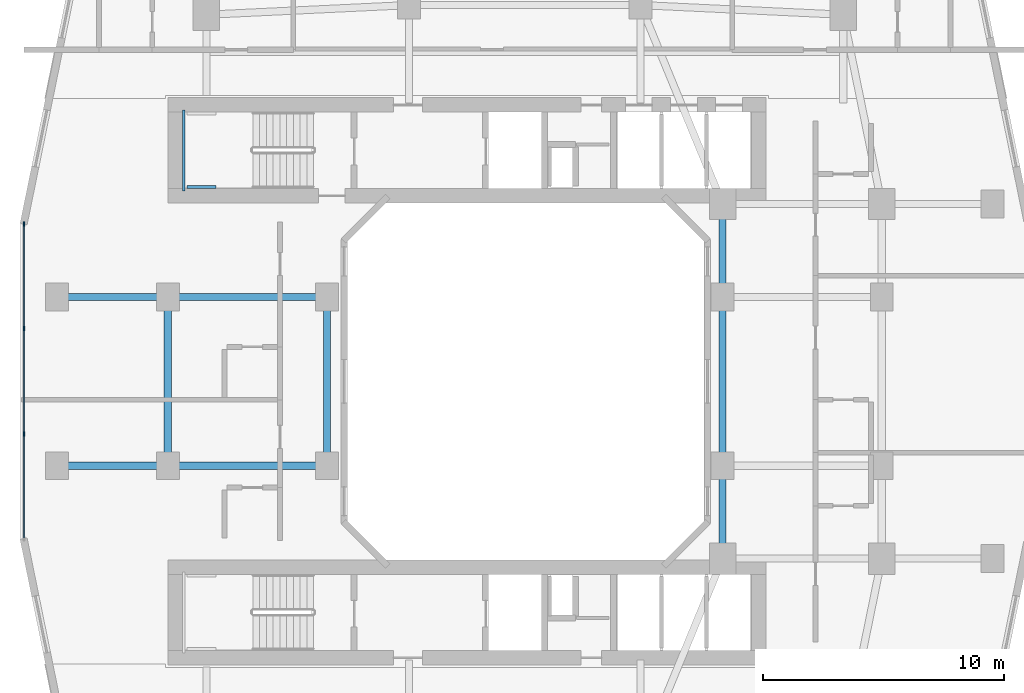
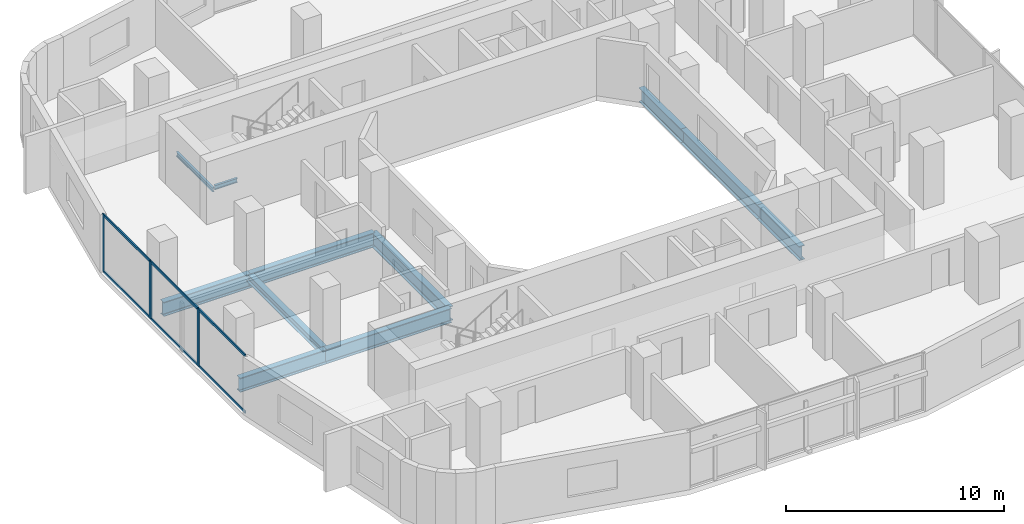
# One storey, part 3 of 26: 11 beams, 9 members, 1 element without a shape of its own.
"""IFC4 building model written with IfcOpenShell, lengths in metres."""

from ifc_helpers import new_model, si_unit, derived_unit, direction, frame, origin, origin_2d, place, context, subcontext, project, spatial, rectangle, i_section, extrude, material, layer, layer_set, material_profile, profile_set, type_object, element, aggregate, save


model = new_model("IFC4")

# Units and contexts
model_context = context("Model", 3, precision=1e-05, world=origin(), true_north=direction((0.0, 1.0)))
body_context = subcontext(model_context, "Body", "Model", "MODEL_VIEW")
ifc_project = project(units=[si_unit("LENGTHUNIT", "METRE"), si_unit("AREAUNIT", "SQUARE_METRE"), si_unit("VOLUMEUNIT", "CUBIC_METRE"), si_unit("PLANEANGLEUNIT", "RADIAN"), si_unit("MASSUNIT", "GRAM", prefix="KILO"), derived_unit("THERMALTRANSMITTANCEUNIT", [(si_unit("POWERUNIT", "WATT"), 1), (si_unit("LENGTHUNIT", "METRE"), -2), (si_unit("THERMODYNAMICTEMPERATUREUNIT", "KELVIN"), -1)])], contexts=[model_context])

# Site, building, storey
site_placement = place(None, origin())
site = spatial("IfcSite", under=ifc_project, at=site_placement, CompositionType="ELEMENT")
building_placement = place(site_placement, origin())
building = spatial("IfcBuilding", under=site, at=building_placement, Name="Kivonza Crest Hotel", CompositionType="ELEMENT")
storey_placement = place(building_placement, frame((0.0, 0.0, 55.5)))
storey = spatial("IfcBuildingStorey", under=building, at=storey_placement, Name="L14", CompositionType="ELEMENT", Elevation=55.5)

# Beams
ifc_material_1 = material(Name="Steel S355", Category="steel")
ifc_material_profile_1 = material_profile(ifc_material_1, i_section(OverallWidth=0.300048828125, OverallDepth=0.449951171875, WebThickness=0.013916015625, FlangeThickness=0.02587890625, FilletRadius=0.027099609375, at=origin_2d()), Name="HEB 450")
ifc_profile_set_1 = profile_set([ifc_material_profile_1], Name="Steel S355")
beam_type_1 = type_object("IfcBeamType", Name="BM-HEB450", PredefinedType="SPANDREL", material=ifc_profile_set_1)
beam_1_placement = place(storey_placement, frame((6.199951171875, 28.5, -0.5048828125), z_axis=(0.0, -1.0, 0.0), x_axis=(1.0, 0.0, 0.0)))
element("IfcBeam", 1, at=beam_1_placement, inside=storey, type_object=beam_type_1, Name="Tower T1 L14 perimeter spandrel W2-W1", PredefinedType="SPANDREL", context=body_context, shape_type="SweptSolid", body=[
    extrude(i_section(OverallWidth=0.300048828125, OverallDepth=0.449951171875, WebThickness=0.013916015625, FlangeThickness=0.02587890625, FilletRadius=0.027099609375, at=origin_2d()), origin(), (0.0, 0.0, 1.0), 7.0),
])
ifc_material_profile_2 = material_profile(ifc_material_1, i_section(OverallWidth=0.300048828125, OverallDepth=0.800048828125, WebThickness=0.017578125, FlangeThickness=0.032958984375, FilletRadius=0.030029296875, at=origin_2d()), Name="HEB 800")
ifc_profile_set_2 = profile_set([ifc_material_profile_2], Name="Steel S355")
beam_type_2 = type_object("IfcBeamType", Name="BM-HEB800", PredefinedType="BEAM", material=ifc_profile_set_2)
for number, where, z_axis, x_axis, name in (
    (2, (6.199951171875, 21.5, -0.679931640625), (1.0, 0.0, 0.0), (0.0, 1.0, 0.0), "Tower T1 L14 primary girder W1-WL1"),
    (3, (6.199951171875, 28.5, -0.679931640625), (1.0, 0.0, 0.0), (0.0, 1.0, 0.0), "Tower T1 L14 primary girder W2-WL2"),
):
    element("IfcBeam", number, at=place(storey_placement, frame(where, z_axis=z_axis, x_axis=x_axis)), inside=storey, type_object=beam_type_2, Name=name, PredefinedType="BEAM", context=body_context, shape_type="SweptSolid", body=[
        extrude(i_section(OverallWidth=0.300048828125, OverallDepth=0.800048828125, WebThickness=0.017578125, FlangeThickness=0.032958984375, FilletRadius=0.030029296875, at=origin_2d()), origin(), (0.0, 0.0, 1.0), 6.60009765625),
    ])
for number, where, z_axis, x_axis, name in (
    (4, (12.800048828125, 21.5, -0.679931640625), (0.0, 1.0, 0.0), (-1.0, 0.0, 0.0), "Tower T1 L14 primary girder WL1-WL2"),
    (5, (29.199951171875, 21.5, -0.679931640625), (0.0, 1.0, 0.0), (-1.0, 0.0, 0.0), "Tower T1 L14 primary girder WR1-WR2"),
):
    element("IfcBeam", number, at=place(storey_placement, frame(where, z_axis=z_axis, x_axis=x_axis)), inside=storey, type_object=beam_type_2, Name=name, PredefinedType="BEAM", context=body_context, shape_type="SweptSolid", body=[
        extrude(i_section(OverallWidth=0.300048828125, OverallDepth=0.800048828125, WebThickness=0.017578125, FlangeThickness=0.032958984375, FilletRadius=0.030029296875, at=origin_2d()), origin(), (0.0, 0.0, 1.0), 7.0),
    ])
for number, where, z_axis, x_axis, name in (
    (6, (29.199951171875, 17.64990234375, -0.679931640625), (0.0, 1.0, 0.0), (-1.0, 0.0, 0.0), "Tower T1 L14 primary girder TSE-WR1"),
    (7, (29.199951171875, 28.5, -0.679931640625), (0.0, 1.0, 0.0), (-1.0, 0.0, 0.0), "Tower T1 L14 primary girder WR2-TNE"),
):
    element("IfcBeam", number, at=place(storey_placement, frame(where, z_axis=z_axis, x_axis=x_axis)), inside=storey, type_object=beam_type_2, Name=name, PredefinedType="BEAM", context=body_context, shape_type="SweptSolid", body=[
        extrude(i_section(OverallWidth=0.300048828125, OverallDepth=0.800048828125, WebThickness=0.017578125, FlangeThickness=0.032958984375, FilletRadius=0.030029296875, at=origin_2d()), origin(), (0.0, 0.0, 1.0), 3.85009765625),
    ])
for number, where, z_axis, x_axis, name in (
    (8, (1.60009765625, 21.5, -0.679931640625), (1.0, 0.0, 0.0), (0.0, 1.0, 0.0), "Tower T1 L14 outer bay girder ZW1"),
    (9, (1.60009765625, 28.5, -0.679931640625), (1.0, 0.0, 0.0), (0.0, 1.0, 0.0), "Tower T1 L14 outer bay girder ZW2"),
):
    element("IfcBeam", number, at=place(storey_placement, frame(where, z_axis=z_axis, x_axis=x_axis)), inside=storey, type_object=beam_type_2, Name=name, PredefinedType="BEAM", context=body_context, shape_type="SweptSolid", body=[
        extrude(i_section(OverallWidth=0.300048828125, OverallDepth=0.800048828125, WebThickness=0.017578125, FlangeThickness=0.032958984375, FilletRadius=0.030029296875, at=origin_2d()), origin(), (0.0, 0.0, 1.0), 4.599853515625),
    ])
ifc_material_profile_3 = material_profile(ifc_material_1, i_section(OverallWidth=0.1201171875, OverallDepth=0.239990234375, WebThickness=0.006103515625, FlangeThickness=0.009765625, FilletRadius=0.014892578125, at=origin_2d()), Name="IPE 240")
ifc_profile_set_3 = profile_set([ifc_material_profile_3], Name="Steel S355")
beam_type_3 = type_object("IfcBeamType", Name="BM-LLDG-240", PredefinedType="BEAM", material=ifc_profile_set_3)
beam_2_placement = place(storey_placement, frame((6.860107421875, 32.89990234375, 1.429931640625), z_axis=(0.0, 1.0, 0.0), x_axis=(-1.0, 0.0, 0.0)))
element("IfcBeam", 10, at=beam_2_placement, inside=storey, type_object=beam_type_3, Name="Stair ST-T1-N L14 West landing corbel", PredefinedType="BEAM", context=body_context, shape_type="SweptSolid", body=[
    extrude(i_section(OverallWidth=0.1201171875, OverallDepth=0.239990234375, WebThickness=0.006103515625, FlangeThickness=0.009765625, FilletRadius=0.014892578125, at=origin_2d()), origin(), (0.0, 0.0, 1.0), 3.360107421875),
])
beam_3_placement = place(storey_placement, frame((6.989990234375, 33.06005859375, 1.429931640625), z_axis=(1.0, 0.0, 0.0), x_axis=(0.0, 1.0, 0.0)))
element("IfcBeam", 11, at=beam_3_placement, inside=storey, type_object=beam_type_3, Name="Stair ST-T1-N L14 South landing corbel", PredefinedType="BEAM", context=body_context, shape_type="SweptSolid", body=[
    extrude(i_section(OverallWidth=0.1201171875, OverallDepth=0.239990234375, WebThickness=0.006103515625, FlangeThickness=0.009765625, FilletRadius=0.014892578125, at=origin_2d()), origin(), (0.0, 0.0, 1.0), 1.2099609375),
])

# Curtain wall, members
ifc_material_2 = material(Name="Anodised bronze aluminium and low-E double glazing", Category="aluminium")
ifc_layer = layer(ifc_material_2, 0.179931640625)
ifc_layer_set = layer_set([ifc_layer], Name="Anodised bronze aluminium and low-E double glazing")
curtain_wall_type = type_object("IfcCurtainWallType", Name="CW-SYS-2", PredefinedType="NOTDEFINED", material=ifc_layer_set)
curtain_wall_placement = place(storey_placement, origin())
curtain_wall = element("IfcCurtainWall", 12, at=curtain_wall_placement, inside=storey, type_object=curtain_wall_type, Name="L14 unitised curtain wall CW-T1-L14-35", PredefinedType="NOTDEFINED")
ifc_material_3 = material(Name="Anodised bronze aluminium", Category="aluminium")
ifc_material_profile_4 = material_profile(ifc_material_3, rectangle(XDim=0.06494140625, YDim=0.179931640625, at=origin_2d()), Name="CW-M 65x180")
ifc_profile_set_4 = profile_set([ifc_material_profile_4], Name="Anodised bronze aluminium")
member_type_1 = type_object("IfcMemberType", Name="CW-MUL-65x180", PredefinedType="MULLION", material=ifc_profile_set_4)
member_1_placement = place(storey_placement, frame((0.239990234375, 31.527587890625, 0.0), z_axis=(0.0, 0.0, 1.0), x_axis=(1.0, 0.0, 0.0)))
member_1 = element("IfcMember", 13, at=member_1_placement, type_object=member_type_1, Name="CW-2 mullion 1", PredefinedType="MULLION", context=body_context, shape_type="SweptSolid", body=[
    extrude(rectangle(XDim=0.06494140625, YDim=0.179931640625, at=origin_2d()), origin(), (0.0, 0.0, 1.0), 3.219970703125),
])
member_2_placement = place(storey_placement, frame((0.239990234375, 27.186767578125, 0.0), z_axis=(0.0, 0.0, 1.0), x_axis=(1.0, 0.0, 0.0)))
member_2 = element("IfcMember", 14, at=member_2_placement, type_object=member_type_1, Name="CW-2 mullion 2", PredefinedType="MULLION", context=body_context, shape_type="SweptSolid", body=[
    extrude(rectangle(XDim=0.06494140625, YDim=0.179931640625, at=origin_2d()), origin(), (0.0, 0.0, 1.0), 3.219970703125),
])
member_3_placement = place(storey_placement, frame((0.239990234375, 22.813232421875, 0.0), z_axis=(0.0, 0.0, 1.0), x_axis=(1.0, 0.0, 0.0)))
member_3 = element("IfcMember", 15, at=member_3_placement, type_object=member_type_1, Name="CW-2 mullion 3", PredefinedType="MULLION", context=body_context, shape_type="SweptSolid", body=[
    extrude(rectangle(XDim=0.06494140625, YDim=0.179931640625, at=origin_2d()), origin(), (0.0, 0.0, 1.0), 3.219970703125),
])
ifc_material_profile_5 = material_profile(ifc_material_3, rectangle(XDim=0.06494140625, YDim=0.139892578125, at=origin_2d()), Name="CW-T 65x140")
ifc_profile_set_5 = profile_set([ifc_material_profile_5], Name="Anodised bronze aluminium")
member_type_2 = type_object("IfcMemberType", Name="CW-TRN-65x140", PredefinedType="USERDEFINED", material=ifc_profile_set_5)
member_4_placement = place(storey_placement, frame((0.239990234375, 31.4951171875, 0.032470703125), z_axis=(0.0, -1.0, 0.0), x_axis=(1.0, 0.0, 0.0)))
member_4 = element("IfcMember", 16, at=member_4_placement, type_object=member_type_2, Name="CW-2 transom 1.1", ObjectType="TRANSOM", PredefinedType="USERDEFINED", context=body_context, shape_type="SweptSolid", body=[
    extrude(rectangle(XDim=0.06494140625, YDim=0.139892578125, at=origin_2d()), origin(), (0.0, 0.0, 1.0), 4.27587890625),
])
member_5_placement = place(storey_placement, frame((0.239990234375, 31.4951171875, 3.1875), z_axis=(0.0, -1.0, 0.0), x_axis=(1.0, 0.0, 0.0)))
member_5 = element("IfcMember", 17, at=member_5_placement, type_object=member_type_2, Name="CW-2 transom 1.2", ObjectType="TRANSOM", PredefinedType="USERDEFINED", context=body_context, shape_type="SweptSolid", body=[
    extrude(rectangle(XDim=0.06494140625, YDim=0.139892578125, at=origin_2d()), origin(), (0.0, 0.0, 1.0), 4.27587890625),
])
member_6_placement = place(storey_placement, frame((0.239990234375, 27.154052734375, 0.032470703125), z_axis=(0.0, -1.0, 0.0), x_axis=(1.0, 0.0, 0.0)))
member_6 = element("IfcMember", 18, at=member_6_placement, type_object=member_type_2, Name="CW-2 transom 2.1", ObjectType="TRANSOM", PredefinedType="USERDEFINED", context=body_context, shape_type="SweptSolid", body=[
    extrude(rectangle(XDim=0.06494140625, YDim=0.139892578125, at=origin_2d()), origin(), (0.0, 0.0, 1.0), 4.30810546875),
])
member_7_placement = place(storey_placement, frame((0.239990234375, 27.154052734375, 3.1875), z_axis=(0.0, -1.0, 0.0), x_axis=(1.0, 0.0, 0.0)))
member_7 = element("IfcMember", 19, at=member_7_placement, type_object=member_type_2, Name="CW-2 transom 2.2", ObjectType="TRANSOM", PredefinedType="USERDEFINED", context=body_context, shape_type="SweptSolid", body=[
    extrude(rectangle(XDim=0.06494140625, YDim=0.139892578125, at=origin_2d()), origin(), (0.0, 0.0, 1.0), 4.30810546875),
])
member_8_placement = place(storey_placement, frame((0.239990234375, 22.78076171875, 0.032470703125), z_axis=(0.0, -1.0, 0.0), x_axis=(1.0, 0.0, 0.0)))
member_8 = element("IfcMember", 20, at=member_8_placement, type_object=member_type_2, Name="CW-2 transom 3.1", ObjectType="TRANSOM", PredefinedType="USERDEFINED", context=body_context, shape_type="SweptSolid", body=[
    extrude(rectangle(XDim=0.06494140625, YDim=0.139892578125, at=origin_2d()), origin(), (0.0, 0.0, 1.0), 4.27587890625),
])
member_9_placement = place(storey_placement, frame((0.239990234375, 22.78076171875, 3.1875), z_axis=(0.0, -1.0, 0.0), x_axis=(1.0, 0.0, 0.0)))
member_9 = element("IfcMember", 21, at=member_9_placement, type_object=member_type_2, Name="CW-2 transom 3.2", ObjectType="TRANSOM", PredefinedType="USERDEFINED", context=body_context, shape_type="SweptSolid", body=[
    extrude(rectangle(XDim=0.06494140625, YDim=0.139892578125, at=origin_2d()), origin(), (0.0, 0.0, 1.0), 4.27587890625),
])
aggregate(curtain_wall, [member_1, member_2, member_3, member_4, member_5, member_6, member_7, member_8, member_9])

save(model, "model.ifc")
